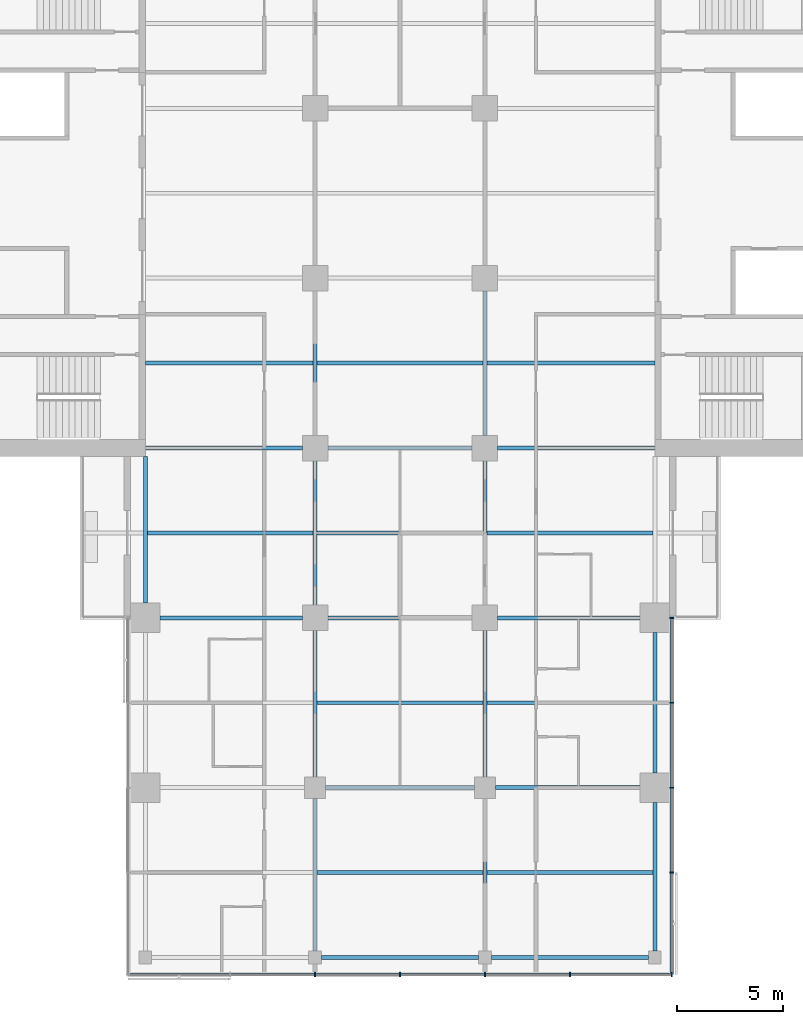
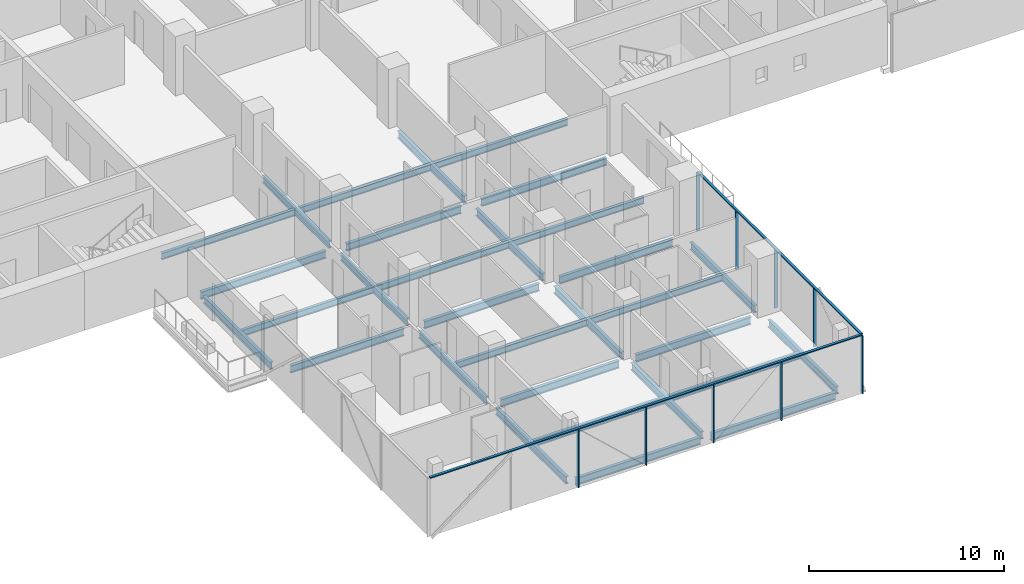
# One storey, part 4 of 27: 31 beams, 11 members, 2 elements without a shape of their own.
"""IFC4 building model written with IfcOpenShell, lengths in metres."""

import ifcopenshell
import ifcopenshell.guid

model = None  # the IFC model being written
_history = None  # IfcOwnerHistory: only IFC2X3 demands one
_inside = {}  # id of a spatial element -> (the spatial element, [elements in it])
_under = {}  # id of a project, library or spatial element -> (it, [spatial elements below it])
_declared = {}  # id of a project -> (the project, [libraries it declares])
_typed = {}  # id of a type object -> (the type object, [elements of that type])
_made_of = {}  # id of a material, layer set ... -> (it, [elements and type objects made of it])


def new_model(schema):
    """Start an empty IFC model of exactly this schema.

    Asked for "IFC4X3", IfcOpenShell would pick the latest addendum, in which some entities
    have other attributes; the version numbers below select the first issue.
    IFC2X3 requires an IfcOwnerHistory on every rooted entity: one is made here for all.
    """
    global model, _history
    if schema == "IFC4X3":
        model = ifcopenshell.file(schema_version=(4, 3, 0, 0))
    else:
        model = ifcopenshell.file(schema=schema)
    _inside.clear()
    _under.clear()
    _declared.clear()
    _typed.clear()
    _made_of.clear()
    _history = None
    if model.schema == "IFC2X3":
        org = make("IfcOrganization", Name="unknown")
        user = make(
            "IfcPersonAndOrganization",
            ThePerson=make("IfcPerson", FamilyName="unknown"),
            TheOrganization=org,
        )
        app = make(
            "IfcApplication",
            ApplicationDeveloper=org,
            Version="unknown",
            ApplicationFullName="unknown",
            ApplicationIdentifier="unknown",
        )
        _history = make(
            "IfcOwnerHistory",
            OwningUser=user,
            OwningApplication=app,
            ChangeAction="ADDED",
            CreationDate=0,
        )
    return model


def make(cls, **values):
    """One entity of the class cls with the attributes given. An attribute that is None is left unset."""
    return model.create_entity(
        cls, **{name: value for name, value in values.items() if value is not None}
    )


def rooted(cls, **values):
    """An entity with a GlobalId (a new one), such as an element, a storey or a relation."""
    return make(cls, GlobalId=ifcopenshell.guid.new(), OwnerHistory=_history, **values)


def si_unit(unit_type, name, prefix=None):
    """IfcSIUnit, for example si_unit("LENGTHUNIT", "METRE", prefix="MILLI")."""
    return make("IfcSIUnit", UnitType=unit_type, Prefix=prefix, Name=name)


def assignment(units):
    """IfcUnitAssignment: the units of a project."""
    return None if units is None else make("IfcUnitAssignment", Units=units)


def point(xyz):
    """IfcCartesianPoint."""
    return None if xyz is None else make("IfcCartesianPoint", Coordinates=xyz)


def direction(xyz):
    """IfcDirection."""
    return None if xyz is None else make("IfcDirection", DirectionRatios=xyz)


def frame(location, z_axis=None, x_axis=None):
    """IfcAxis2Placement3D, a coordinate frame: its origin and axes. An axis left out is left unset."""
    return make(
        "IfcAxis2Placement3D",
        Location=point(location),
        Axis=direction(z_axis),
        RefDirection=direction(x_axis),
    )


def frame_2d(location, x_axis=None):
    """IfcAxis2Placement2D, a coordinate frame in the plane: its origin and x axis."""
    return make(
        "IfcAxis2Placement2D", Location=point(location), RefDirection=direction(x_axis)
    )


def origin():
    """The frame at (0, 0, 0) with its axes left unset."""
    return frame((0.0, 0.0, 0.0))


def origin_2d():
    """The frame at (0, 0) in the plane with its x axis left unset."""
    return frame_2d((0.0, 0.0))


def place(relative_to, where):
    """IfcLocalPlacement: puts the frame where relative to a parent placement (None: the world)."""
    return make(
        "IfcLocalPlacement", PlacementRelTo=relative_to, RelativePlacement=where
    )


def context(
    kind, dimensions, precision=None, world=None, true_north=None, identifier=None
):
    """IfcGeometricRepresentationContext, for example the 3D "Model" context."""
    return make(
        "IfcGeometricRepresentationContext",
        ContextIdentifier=identifier,
        ContextType=kind,
        CoordinateSpaceDimension=dimensions,
        Precision=precision,
        WorldCoordinateSystem=world,
        TrueNorth=true_north,
    )


def subcontext(parent, identifier, kind, view, scale=None):
    """IfcGeometricRepresentationSubContext, for example "Body" below "Model"."""
    return make(
        "IfcGeometricRepresentationSubContext",
        ContextIdentifier=identifier,
        ContextType=kind,
        ParentContext=parent,
        TargetScale=scale,
        TargetView=view,
    )


def project(units=None, contexts=None):
    """IfcProject with its units and contexts."""
    return rooted(
        "IfcProject",
        Name="project",
        RepresentationContexts=contexts,
        UnitsInContext=assignment(units),
    )


def spatial(cls, under=None, at=None, **own):
    """A site, building, storey or space (cls), placed at a placement, below another one or the project."""
    s = rooted(cls, ObjectPlacement=at, **own)
    if under is not None:
        _under.setdefault(under.id(), (under, []))[1].append(s)
    return s


def profile(cls, at=None, kind="AREA", **sizes):
    """A parametric profile (cls). Its sizes go by their IFC names, for example OverallWidth=200.0."""
    return make(cls, ProfileType=kind, Position=at, **sizes)


def rectangle(**sizes):
    """IfcRectangleProfileDef."""
    return profile("IfcRectangleProfileDef", **sizes)


def i_section(**sizes):
    """IfcIShapeProfileDef."""
    return profile("IfcIShapeProfileDef", **sizes)


def extrude(swept, where, along, depth):
    """IfcExtrudedAreaSolid: the profile swept, set in the frame where, extruded along a direction by depth."""
    return make(
        "IfcExtrudedAreaSolid",
        SweptArea=swept,
        Position=where,
        ExtrudedDirection=direction(along),
        Depth=depth,
    )


def shape(context_of_items, identifier, shape_type, items):
    """IfcShapeRepresentation: the items that make up one representation, for example the "Body"."""
    return make(
        "IfcShapeRepresentation",
        ContextOfItems=context_of_items,
        RepresentationIdentifier=identifier,
        RepresentationType=shape_type,
        Items=items,
    )


def material(Name=None, Category=None):
    """IfcMaterial."""
    return make("IfcMaterial", Name=Name, Category=Category)


def material_profile(
    of_material, cross_section, Name=None, Category=None, Priority=None
):
    """IfcMaterialProfile: a cross section and its material."""
    return make(
        "IfcMaterialProfile",
        Name=Name,
        Material=of_material,
        Profile=cross_section,
        Priority=Priority,
        Category=Category,
    )


def profile_set(profiles, Name=None, composite=None):
    """IfcMaterialProfileSet."""
    return make(
        "IfcMaterialProfileSet",
        Name=Name,
        MaterialProfiles=profiles,
        CompositeProfile=composite,
    )


def made_of(thing, what):
    """Note that an element or type object is made of a material, layer set ...; save() writes the relation."""
    if what is not None:
        _made_of.setdefault(what.id(), (what, []))[1].append(thing)
    return thing


def type_object(cls, material=None, **own):
    """A type object (cls), such as IfcWallType, which elements share."""
    return made_of(rooted(cls, **own), material)


def element(
    cls,
    number,
    at=None,
    inside=None,
    cuts=None,
    type_object=None,
    material=None,
    context=None,
    identifier="Body",
    shape_type=None,
    held_by="IfcProductDefinitionShape",
    body=None,
    shapes=None,
    **own,
):
    """One element of the class cls, such as IfcWall. Its Tag is "e" and its number.

    at: its placement. inside: the storey or other place that contains it. cuts: it is an
    opening in that element (IfcRelVoidsElement). A single representation is given by context,
    identifier, shape_type and body (its items); several are given by shapes. held_by: the class
    of the entity that holds the representations. save() writes the other relations.
    """
    e = rooted(cls, Tag="e%d" % number, ObjectPlacement=at, **own)
    if body is not None:
        shapes = [shape(context, identifier, shape_type, body)]
    if shapes is not None:
        e.Representation = make(held_by, Representations=shapes)
    if inside is not None:
        _inside.setdefault(inside.id(), (inside, []))[1].append(e)
    if cuts is not None:
        rooted(
            "IfcRelVoidsElement", RelatingBuildingElement=cuts, RelatedOpeningElement=e
        )
    if type_object is not None:
        _typed.setdefault(type_object.id(), (type_object, []))[1].append(e)
    return made_of(e, material)


def aggregate(whole, parts):
    """IfcRelAggregates: a whole, such as a stair, and the parts it consists of."""
    return rooted("IfcRelAggregates", RelatingObject=whole, RelatedObjects=parts)


def save(model, path):
    """Write the relations noted so far, then the file.

    IfcRelAggregates (storeys below a building ...), IfcRelContainedInSpatialStructure (elements
    in a storey), IfcRelDefinesByType, IfcRelAssociatesMaterial and IfcRelDeclares: one each for
    every whole, place, type object, material and project.
    """
    for whole, parts in _under.values():
        aggregate(whole, parts)
    for where, things in _inside.values():
        rooted(
            "IfcRelContainedInSpatialStructure",
            RelatedElements=things,
            RelatingStructure=where,
        )
    for kind, things in _typed.values():
        rooted("IfcRelDefinesByType", RelatedObjects=things, RelatingType=kind)
    for what, things in _made_of.values():
        rooted("IfcRelAssociatesMaterial", RelatedObjects=things, RelatingMaterial=what)
    for by, libraries in _declared.values():
        rooted("IfcRelDeclares", RelatingContext=by, RelatedDefinitions=libraries)
    model.write(path)


model = new_model("IFC4")

# Units and contexts
model_context = context("Model", 3, precision=1e-05, world=origin(), true_north=direction((0.0, 1.0)))
body_context = subcontext(model_context, "Body", "Model", "MODEL_VIEW")
ifc_project = project(units=[si_unit("LENGTHUNIT", "METRE"), si_unit("AREAUNIT", "SQUARE_METRE"), si_unit("VOLUMEUNIT", "CUBIC_METRE"), si_unit("PLANEANGLEUNIT", "RADIAN"), si_unit("MASSUNIT", "GRAM", prefix="KILO")], contexts=[model_context])

# Site, building, storey
site_placement = place(None, origin())
site = spatial("IfcSite", under=ifc_project, at=site_placement, CompositionType="ELEMENT")
building_placement = place(site_placement, origin())
building = spatial("IfcBuilding", under=site, at=building_placement, Name="Crosswind Convention Tower", CompositionType="ELEMENT")
storey_placement = place(building_placement, frame((0.0, 0.0, 83.10009765625)))
storey = spatial("IfcBuildingStorey", under=building, at=storey_placement, Name="L15", CompositionType="ELEMENT", Elevation=83.10009765625)

# Beams
ifc_material_1 = material(Name="Steel S355", Category="steel")
ifc_material_profile_1 = material_profile(ifc_material_1, i_section(OverallWidth=0.1904296875, OverallDepth=0.457275390625, WebThickness=0.009033203125, FlangeThickness=0.014404296875, FilletRadius=0.01025390625, at=origin_2d()), Name="UB 457x191x75")
ifc_profile_set_1 = profile_set([ifc_material_profile_1], Name="Steel S355")
beam_type_1 = type_object("IfcBeamType", Name="Edge beam UB 457x191x75", PredefinedType="SPANDREL", material=ifc_profile_set_1)
beam_1_placement = place(storey_placement, frame((113.0, 80.699951171875, -0.5087890625), z_axis=(0.0, 1.0, 0.0), x_axis=(-1.0, 0.0, 0.0)))
element("IfcBeam", 1, at=beam_1_placement, inside=storey, type_object=beam_type_1, Name="B17 L15 edge beam 8", PredefinedType="SPANDREL", context=body_context, shape_type="SweptSolid", body=[
    extrude(i_section(OverallWidth=0.1904296875, OverallDepth=0.457275390625, WebThickness=0.009033203125, FlangeThickness=0.014404296875, FilletRadius=0.01025390625, at=origin_2d()), origin(), (0.0, 0.0, 1.0), 6.900146484375),
])
for number, where, z_axis, x_axis, name in (
    (2, (121.300048828125, 64.0, -0.5087890625), (1.0, 0.0, 0.0), (0.0, 1.0, 0.0), "B17 L15 edge beam 14"),
    (3, (129.300048828125, 64.0, -0.5087890625), (1.0, 0.0, 0.0), (0.0, 1.0, 0.0), "B17 L15 edge beam 16"),
):
    element("IfcBeam", number, at=place(storey_placement, frame(where, z_axis=z_axis, x_axis=x_axis)), inside=storey, type_object=beam_type_1, Name=name, PredefinedType="SPANDREL", context=body_context, shape_type="SweptSolid", body=[
        extrude(i_section(OverallWidth=0.1904296875, OverallDepth=0.457275390625, WebThickness=0.009033203125, FlangeThickness=0.014404296875, FilletRadius=0.01025390625, at=origin_2d()), origin(), (0.0, 0.0, 1.0), 7.39990234375),
    ])
beam_2_placement = place(storey_placement, frame((137.0, 64.300048828125, -0.5087890625), z_axis=(0.0, 1.0, 0.0), x_axis=(-1.0, 0.0, 0.0)))
element("IfcBeam", 4, at=beam_2_placement, inside=storey, type_object=beam_type_1, Name="B17 L15 edge beam 18", PredefinedType="SPANDREL", context=body_context, shape_type="SweptSolid", body=[
    extrude(i_section(OverallWidth=0.1904296875, OverallDepth=0.457275390625, WebThickness=0.009033203125, FlangeThickness=0.014404296875, FilletRadius=0.01025390625, at=origin_2d()), origin(), (0.0, 0.0, 1.0), 7.0),
])
beam_3_placement = place(storey_placement, frame((137.0, 72.699951171875, -0.5087890625), z_axis=(0.0, 1.0, 0.0), x_axis=(-1.0, 0.0, 0.0)))
element("IfcBeam", 5, at=beam_3_placement, inside=storey, type_object=beam_type_1, Name="B17 L15 edge beam 19", PredefinedType="SPANDREL", context=body_context, shape_type="SweptSolid", body=[
    extrude(i_section(OverallWidth=0.1904296875, OverallDepth=0.457275390625, WebThickness=0.009033203125, FlangeThickness=0.014404296875, FilletRadius=0.01025390625, at=origin_2d()), origin(), (0.0, 0.0, 1.0), 6.60009765625),
])
ifc_material_profile_2 = material_profile(ifc_material_1, i_section(OverallWidth=0.19140625, OverallDepth=0.460205078125, WebThickness=0.010009765625, FlangeThickness=0.01611328125, FilletRadius=0.01025390625, at=origin_2d()), Name="UB 457x191x82")
ifc_profile_set_2 = profile_set([ifc_material_profile_2], Name="Steel S355")
beam_type_2 = type_object("IfcBeamType", Name="Girder UB 457x191x82", PredefinedType="BEAM", material=ifc_profile_set_2)
beam_4_placement = place(storey_placement, frame((113.699951171875, 80.0, -0.51025390625), z_axis=(1.0, 0.0, 0.0), x_axis=(0.0, 1.0, 0.0)))
element("IfcBeam", 6, at=beam_4_placement, inside=storey, type_object=beam_type_2, Name="B3 L15 girder 2", PredefinedType="BEAM", context=body_context, shape_type="SweptSolid", body=[
    extrude(i_section(OverallWidth=0.19140625, OverallDepth=0.460205078125, WebThickness=0.010009765625, FlangeThickness=0.01611328125, FilletRadius=0.01025390625, at=origin_2d()), origin(), (0.0, 0.0, 1.0), 6.699951171875),
])
beam_5_placement = place(storey_placement, frame((121.0, 64.300048828125, -0.51025390625), z_axis=(0.0, 1.0, 0.0), x_axis=(-1.0, 0.0, 0.0)))
element("IfcBeam", 7, at=beam_5_placement, inside=storey, type_object=beam_type_2, Name="B3 L15 girder 5", PredefinedType="BEAM", context=body_context, shape_type="SweptSolid", body=[
    extrude(i_section(OverallWidth=0.19140625, OverallDepth=0.460205078125, WebThickness=0.010009765625, FlangeThickness=0.01611328125, FilletRadius=0.01025390625, at=origin_2d()), origin(), (0.0, 0.0, 1.0), 7.199951171875),
])
beam_6_placement = place(storey_placement, frame((121.0, 72.5, -0.51025390625), z_axis=(0.0, 1.0, 0.0), x_axis=(-1.0, 0.0, 0.0)))
element("IfcBeam", 8, at=beam_6_placement, inside=storey, type_object=beam_type_2, Name="B3 L15 girder 6", PredefinedType="BEAM", context=body_context, shape_type="SweptSolid", body=[
    extrude(i_section(OverallWidth=0.19140625, OverallDepth=0.460205078125, WebThickness=0.010009765625, FlangeThickness=0.01611328125, FilletRadius=0.01025390625, at=origin_2d()), origin(), (0.0, 0.0, 1.0), 6.89990234375),
])
for number, where, z_axis, x_axis, name in (
    (9, (121.0, 80.60009765625, -0.51025390625), (0.0, 1.0, 0.0), (-1.0, 0.0, 0.0), "B3 L15 girder 7"),
    (10, (121.0, 88.60009765625, -0.51025390625), (0.0, 1.0, 0.0), (-1.0, 0.0, 0.0), "B3 L15 girder 8"),
):
    element("IfcBeam", number, at=place(storey_placement, frame(where, z_axis=z_axis, x_axis=x_axis)), inside=storey, type_object=beam_type_2, Name=name, PredefinedType="BEAM", context=body_context, shape_type="SweptSolid", body=[
        extrude(i_section(OverallWidth=0.19140625, OverallDepth=0.460205078125, WebThickness=0.010009765625, FlangeThickness=0.01611328125, FilletRadius=0.01025390625, at=origin_2d()), origin(), (0.0, 0.0, 1.0), 6.7998046875),
    ])
beam_7_placement = place(storey_placement, frame((121.5, 72.0, -0.51025390625), z_axis=(1.0, 0.0, 0.0), x_axis=(0.0, 1.0, 0.0)))
element("IfcBeam", 11, at=beam_7_placement, inside=storey, type_object=beam_type_2, Name="B3 L15 girder 14", PredefinedType="BEAM", context=body_context, shape_type="SweptSolid", body=[
    extrude(i_section(OverallWidth=0.19140625, OverallDepth=0.460205078125, WebThickness=0.010009765625, FlangeThickness=0.01611328125, FilletRadius=0.01025390625, at=origin_2d()), origin(), (0.0, 0.0, 1.0), 7.0),
])
for number, where, z_axis, x_axis, name in (
    (12, (121.60009765625, 80.0, -0.51025390625), (1.0, 0.0, 0.0), (0.0, 1.0, 0.0), "B3 L15 girder 16"),
    (13, (121.60009765625, 88.0, -0.51025390625), (1.0, 0.0, 0.0), (0.0, 1.0, 0.0), "B3 L15 girder 17"),
):
    element("IfcBeam", number, at=place(storey_placement, frame(where, z_axis=z_axis, x_axis=x_axis)), inside=storey, type_object=beam_type_2, Name=name, PredefinedType="BEAM", context=body_context, shape_type="SweptSolid", body=[
        extrude(i_section(OverallWidth=0.19140625, OverallDepth=0.460205078125, WebThickness=0.010009765625, FlangeThickness=0.01611328125, FilletRadius=0.01025390625, at=origin_2d()), origin(), (0.0, 0.0, 1.0), 6.7998046875),
    ])
beam_8_placement = place(storey_placement, frame((129.0, 64.300048828125, -0.51025390625), z_axis=(0.0, 1.0, 0.0), x_axis=(-1.0, 0.0, 0.0)))
element("IfcBeam", 14, at=beam_8_placement, inside=storey, type_object=beam_type_2, Name="B3 L15 girder 22", PredefinedType="BEAM", context=body_context, shape_type="SweptSolid", body=[
    extrude(i_section(OverallWidth=0.19140625, OverallDepth=0.460205078125, WebThickness=0.010009765625, FlangeThickness=0.01611328125, FilletRadius=0.01025390625, at=origin_2d()), origin(), (0.0, 0.0, 1.0), 7.199951171875),
])
beam_9_placement = place(storey_placement, frame((129.0, 72.5, -0.51025390625), z_axis=(0.0, 1.0, 0.0), x_axis=(-1.0, 0.0, 0.0)))
element("IfcBeam", 15, at=beam_9_placement, inside=storey, type_object=beam_type_2, Name="B3 L15 girder 23", PredefinedType="BEAM", context=body_context, shape_type="SweptSolid", body=[
    extrude(i_section(OverallWidth=0.19140625, OverallDepth=0.460205078125, WebThickness=0.010009765625, FlangeThickness=0.01611328125, FilletRadius=0.01025390625, at=origin_2d()), origin(), (0.0, 0.0, 1.0), 6.89990234375),
])
for number, where, z_axis, x_axis, name in (
    (16, (129.0, 80.60009765625, -0.51025390625), (0.0, 1.0, 0.0), (-1.0, 0.0, 0.0), "B3 L15 girder 24"),
    (17, (129.0, 88.60009765625, -0.51025390625), (0.0, 1.0, 0.0), (-1.0, 0.0, 0.0), "B3 L15 girder 25"),
):
    element("IfcBeam", number, at=place(storey_placement, frame(where, z_axis=z_axis, x_axis=x_axis)), inside=storey, type_object=beam_type_2, Name=name, PredefinedType="BEAM", context=body_context, shape_type="SweptSolid", body=[
        extrude(i_section(OverallWidth=0.19140625, OverallDepth=0.460205078125, WebThickness=0.010009765625, FlangeThickness=0.01611328125, FilletRadius=0.01025390625, at=origin_2d()), origin(), (0.0, 0.0, 1.0), 6.7998046875),
    ])
beam_10_placement = place(storey_placement, frame((129.5, 72.0, -0.51025390625), z_axis=(1.0, 0.0, 0.0), x_axis=(0.0, 1.0, 0.0)))
element("IfcBeam", 18, at=beam_10_placement, inside=storey, type_object=beam_type_2, Name="B3 L15 girder 31", PredefinedType="BEAM", context=body_context, shape_type="SweptSolid", body=[
    extrude(i_section(OverallWidth=0.19140625, OverallDepth=0.460205078125, WebThickness=0.010009765625, FlangeThickness=0.01611328125, FilletRadius=0.01025390625, at=origin_2d()), origin(), (0.0, 0.0, 1.0), 6.800048828125),
])
beam_11_placement = place(storey_placement, frame((129.60009765625, 80.0, -0.51025390625), z_axis=(1.0, 0.0, 0.0), x_axis=(0.0, 1.0, 0.0)))
element("IfcBeam", 19, at=beam_11_placement, inside=storey, type_object=beam_type_2, Name="B3 L15 girder 33", PredefinedType="BEAM", context=body_context, shape_type="SweptSolid", body=[
    extrude(i_section(OverallWidth=0.19140625, OverallDepth=0.460205078125, WebThickness=0.010009765625, FlangeThickness=0.01611328125, FilletRadius=0.01025390625, at=origin_2d()), origin(), (0.0, 0.0, 1.0), 6.699951171875),
])
ifc_material_profile_3 = material_profile(ifc_material_1, i_section(OverallWidth=0.19189453125, OverallDepth=0.463623046875, WebThickness=0.010498046875, FlangeThickness=0.017578125, FilletRadius=0.01025390625, at=origin_2d()), Name="UB 457x191x90")
ifc_profile_set_3 = profile_set([ifc_material_profile_3], Name="Steel S355")
beam_type_3 = type_object("IfcBeamType", Name="Girder at core wall UB 457x191x90", PredefinedType="BEAM", material=ifc_profile_set_3)
for number, where, z_axis, x_axis, name in (
    (20, (113.0, 88.0, -0.511962890625), (1.0, 0.0, 0.0), (0.0, 1.0, 0.0), "B24 L15 girder at core wall 3"),
    (21, (129.60009765625, 88.0, -0.511962890625), (1.0, 0.0, 0.0), (0.0, 1.0, 0.0), "B24 L15 girder at core wall 7"),
):
    element("IfcBeam", number, at=place(storey_placement, frame(where, z_axis=z_axis, x_axis=x_axis)), inside=storey, type_object=beam_type_3, Name=name, PredefinedType="BEAM", context=body_context, shape_type="SweptSolid", body=[
        extrude(i_section(OverallWidth=0.19189453125, OverallDepth=0.463623046875, WebThickness=0.010498046875, FlangeThickness=0.017578125, FilletRadius=0.01025390625, at=origin_2d()), origin(), (0.0, 0.0, 1.0), 7.39990234375),
    ])

# Curtain wall, members
ifc_material_2 = material(Name="Aluminium unitised curtain wall", Category="aluminium")
curtain_wall_type = type_object("IfcCurtainWallType", Name="HOTEL UNITISED WALL 200", PredefinedType="USERDEFINED", material=ifc_material_2)
curtain_wall_1_placement = place(storey_placement, origin())
curtain_wall_1 = element("IfcCurtainWall", 22, at=curtain_wall_1_placement, inside=storey, type_object=curtain_wall_type, Name="CW2 L15 S-TIP 1", ObjectType="UNITISED", PredefinedType="USERDEFINED")
ifc_material_3 = material(Name="Aluminium mullion", Category="aluminium")
ifc_material_profile_4 = material_profile(ifc_material_3, rectangle(XDim=0.199951171875, YDim=0.06494140625, at=origin_2d()), Name="AL 200X65")
ifc_profile_set_4 = profile_set([ifc_material_profile_4], Name="Aluminium mullion")
member_type_1 = type_object("IfcMemberType", Name="MULLION 65X200", PredefinedType="MULLION", material=ifc_profile_set_4)
member_1_placement = place(storey_placement, frame((121.0, 63.199951171875, -0.280029296875), z_axis=(0.0, 0.0, 1.0), x_axis=(0.0, -1.0, 0.0)))
member_1 = element("IfcMember", 23, at=member_1_placement, type_object=member_type_1, Name="CW2 mullion 3", PredefinedType="MULLION", context=body_context, shape_type="SweptSolid", body=[
    extrude(rectangle(XDim=0.199951171875, YDim=0.06494140625, at=origin_2d()), origin(), (0.0, 0.0, 1.0), 3.635009765625),
])
member_2_placement = place(storey_placement, frame((125.0, 63.199951171875, -0.280029296875), z_axis=(0.0, 0.0, 1.0), x_axis=(0.0, -1.0, 0.0)))
member_2 = element("IfcMember", 24, at=member_2_placement, type_object=member_type_1, Name="CW2 mullion 4", PredefinedType="MULLION", context=body_context, shape_type="SweptSolid", body=[
    extrude(rectangle(XDim=0.199951171875, YDim=0.06494140625, at=origin_2d()), origin(), (0.0, 0.0, 1.0), 3.635009765625),
])
member_3_placement = place(storey_placement, frame((129.0, 63.199951171875, -0.280029296875), z_axis=(0.0, 0.0, 1.0), x_axis=(0.0, -1.0, 0.0)))
member_3 = element("IfcMember", 25, at=member_3_placement, type_object=member_type_1, Name="CW2 mullion 5", PredefinedType="MULLION", context=body_context, shape_type="SweptSolid", body=[
    extrude(rectangle(XDim=0.199951171875, YDim=0.06494140625, at=origin_2d()), origin(), (0.0, 0.0, 1.0), 3.635009765625),
])
member_4_placement = place(storey_placement, frame((133.0, 63.199951171875, -0.280029296875), z_axis=(0.0, 0.0, 1.0), x_axis=(0.0, -1.0, 0.0)))
member_4 = element("IfcMember", 26, at=member_4_placement, type_object=member_type_1, Name="CW2 mullion 6", PredefinedType="MULLION", context=body_context, shape_type="SweptSolid", body=[
    extrude(rectangle(XDim=0.199951171875, YDim=0.06494140625, at=origin_2d()), origin(), (0.0, 0.0, 1.0), 3.635009765625),
])
member_5_placement = place(storey_placement, frame((137.800048828125, 63.199951171875, -0.280029296875), z_axis=(0.0, 0.0, 1.0), x_axis=(0.0, -1.0, 0.0)))
member_5 = element("IfcMember", 27, at=member_5_placement, type_object=member_type_1, Name="CW2 mullion 7", PredefinedType="MULLION", context=body_context, shape_type="SweptSolid", body=[
    extrude(rectangle(XDim=0.199951171875, YDim=0.06494140625, at=origin_2d()), origin(), (0.0, 0.0, 1.0), 3.635009765625),
])

curtain_wall_2_placement = place(storey_placement, origin())
curtain_wall_2 = element("IfcCurtainWall", 28, at=curtain_wall_2_placement, inside=storey, type_object=curtain_wall_type, Name="CW2 L15 S-E 1", ObjectType="UNITISED", PredefinedType="USERDEFINED")
member_6_placement = place(storey_placement, frame((137.800048828125, 68.0, -0.280029296875), z_axis=(0.0, 0.0, 1.0), x_axis=(1.0, 0.0, 0.0)))
member_6 = element("IfcMember", 29, at=member_6_placement, type_object=member_type_1, Name="CW2 mullion 2", PredefinedType="MULLION", context=body_context, shape_type="SweptSolid", body=[
    extrude(rectangle(XDim=0.199951171875, YDim=0.06494140625, at=origin_2d()), origin(), (0.0, 0.0, 1.0), 3.635009765625),
])
member_7_placement = place(storey_placement, frame((137.800048828125, 72.0, -0.280029296875), z_axis=(0.0, 0.0, 1.0), x_axis=(1.0, 0.0, 0.0)))
member_7 = element("IfcMember", 30, at=member_7_placement, type_object=member_type_1, Name="CW2 mullion 3", PredefinedType="MULLION", context=body_context, shape_type="SweptSolid", body=[
    extrude(rectangle(XDim=0.199951171875, YDim=0.06494140625, at=origin_2d()), origin(), (0.0, 0.0, 1.0), 3.635009765625),
])
member_8_placement = place(storey_placement, frame((137.800048828125, 76.0, -0.280029296875), z_axis=(0.0, 0.0, 1.0), x_axis=(1.0, 0.0, 0.0)))
member_8 = element("IfcMember", 31, at=member_8_placement, type_object=member_type_1, Name="CW2 mullion 4", PredefinedType="MULLION", context=body_context, shape_type="SweptSolid", body=[
    extrude(rectangle(XDim=0.199951171875, YDim=0.06494140625, at=origin_2d()), origin(), (0.0, 0.0, 1.0), 3.635009765625),
])
member_9_placement = place(storey_placement, frame((137.800048828125, 80.0, -0.280029296875), z_axis=(0.0, 0.0, 1.0), x_axis=(1.0, 0.0, 0.0)))
member_9 = element("IfcMember", 32, at=member_9_placement, type_object=member_type_1, Name="CW2 mullion 5", PredefinedType="MULLION", context=body_context, shape_type="SweptSolid", body=[
    extrude(rectangle(XDim=0.199951171875, YDim=0.06494140625, at=origin_2d()), origin(), (0.0, 0.0, 1.0), 3.635009765625),
])

# Beams
ifc_material_profile_5 = material_profile(ifc_material_1, i_section(OverallWidth=0.177734375, OverallDepth=0.406494140625, WebThickness=0.0078125, FlangeThickness=0.0126953125, FilletRadius=0.01025390625, at=origin_2d()), Name="UB 406x178x60")
ifc_profile_set_5 = profile_set([ifc_material_profile_5], Name="Steel S355")
beam_type_4 = type_object("IfcBeamType", Name="Secondary beam UB 406x178x60", PredefinedType="JOIST", material=ifc_profile_set_5)
beam_12_placement = place(storey_placement, frame((113.0, 92.0, -0.4833984375), z_axis=(1.0, 0.0, 0.0), x_axis=(0.0, 1.0, 0.0)))
element("IfcBeam", 33, at=beam_12_placement, inside=storey, type_object=beam_type_4, Name="B10 L15 secondary beam 4", PredefinedType="JOIST", context=body_context, shape_type="SweptSolid", body=[
    extrude(i_section(OverallWidth=0.177734375, OverallDepth=0.406494140625, WebThickness=0.0078125, FlangeThickness=0.0126953125, FilletRadius=0.01025390625, at=origin_2d()), origin(), (0.0, 0.0, 1.0), 7.904296875),
])
beam_13_placement = place(storey_placement, frame((113.09521484375, 84.0, -0.4833984375), z_axis=(1.0, 0.0, 0.0), x_axis=(0.0, 1.0, 0.0)))
element("IfcBeam", 34, at=beam_13_placement, inside=storey, type_object=beam_type_4, Name="B10 L15 secondary beam 9", PredefinedType="JOIST", context=body_context, shape_type="SweptSolid", body=[
    extrude(i_section(OverallWidth=0.177734375, OverallDepth=0.406494140625, WebThickness=0.0078125, FlangeThickness=0.0126953125, FilletRadius=0.01025390625, at=origin_2d()), origin(), (0.0, 0.0, 1.0), 7.80908203125),
])
for number, where, z_axis, x_axis, name in (
    (35, (121.095703125, 68.0, -0.4833984375), (1.0, 0.0, 0.0), (0.0, 1.0, 0.0), "B10 L15 secondary beam 13"),
    (36, (121.095703125, 76.0, -0.4833984375), (1.0, 0.0, 0.0), (0.0, 1.0, 0.0), "B10 L15 secondary beam 14"),
    (37, (121.095703125, 84.0, -0.4833984375), (1.0, 0.0, 0.0), (0.0, 1.0, 0.0), "B10 L15 secondary beam 15"),
    (38, (121.095703125, 92.0, -0.4833984375), (1.0, 0.0, 0.0), (0.0, 1.0, 0.0), "B10 L15 secondary beam 16"),
):
    element("IfcBeam", number, at=place(storey_placement, frame(where, z_axis=z_axis, x_axis=x_axis)), inside=storey, type_object=beam_type_4, Name=name, PredefinedType="JOIST", context=body_context, shape_type="SweptSolid", body=[
        extrude(i_section(OverallWidth=0.177734375, OverallDepth=0.406494140625, WebThickness=0.0078125, FlangeThickness=0.0126953125, FilletRadius=0.01025390625, at=origin_2d()), origin(), (0.0, 0.0, 1.0), 7.80859375),
    ])
for number, where, z_axis, x_axis, name in (
    (39, (129.095703125, 68.0, -0.4833984375), (1.0, 0.0, 0.0), (0.0, 1.0, 0.0), "B10 L15 secondary beam 22"),
    (40, (129.095703125, 76.0, -0.4833984375), (1.0, 0.0, 0.0), (0.0, 1.0, 0.0), "B10 L15 secondary beam 23"),
    (41, (129.095703125, 84.0, -0.4833984375), (1.0, 0.0, 0.0), (0.0, 1.0, 0.0), "B10 L15 secondary beam 24"),
):
    element("IfcBeam", number, at=place(storey_placement, frame(where, z_axis=z_axis, x_axis=x_axis)), inside=storey, type_object=beam_type_4, Name=name, PredefinedType="JOIST", context=body_context, shape_type="SweptSolid", body=[
        extrude(i_section(OverallWidth=0.177734375, OverallDepth=0.406494140625, WebThickness=0.0078125, FlangeThickness=0.0126953125, FilletRadius=0.01025390625, at=origin_2d()), origin(), (0.0, 0.0, 1.0), 7.80908203125),
    ])
beam_14_placement = place(storey_placement, frame((129.095703125, 92.0, -0.4833984375), z_axis=(1.0, 0.0, 0.0), x_axis=(0.0, 1.0, 0.0)))
element("IfcBeam", 42, at=beam_14_placement, inside=storey, type_object=beam_type_4, Name="B10 L15 secondary beam 25", PredefinedType="JOIST", context=body_context, shape_type="SweptSolid", body=[
    extrude(i_section(OverallWidth=0.177734375, OverallDepth=0.406494140625, WebThickness=0.0078125, FlangeThickness=0.0126953125, FilletRadius=0.01025390625, at=origin_2d()), origin(), (0.0, 0.0, 1.0), 7.904296875),
])

# Member
ifc_material_4 = material(Name="Aluminium transom", Category="aluminium")
ifc_material_profile_6 = material_profile(ifc_material_4, rectangle(XDim=0.14990234375, YDim=0.06494140625, at=origin_2d()), Name="AL 150X65")
ifc_profile_set_6 = profile_set([ifc_material_profile_6], Name="Aluminium transom")
member_type_2 = type_object("IfcMemberType", Name="TRANSOM 65X150", PredefinedType="USERDEFINED", material=ifc_profile_set_6)
member_10_placement = place(storey_placement, frame((112.232421875, 63.199951171875, 3.387451171875), z_axis=(1.0, 0.0, 0.0), x_axis=(0.0, 1.0, 0.0)))
member_10 = element("IfcMember", 43, at=member_10_placement, type_object=member_type_2, Name="CW2 transom", ObjectType="TRANSOM", PredefinedType="USERDEFINED", context=body_context, shape_type="SweptSolid", body=[
    extrude(rectangle(XDim=0.14990234375, YDim=0.06494140625, at=origin_2d()), origin(), (0.0, 0.0, 1.0), 25.53515625),
])

aggregate(curtain_wall_1, [member_1, member_2, member_3, member_4, member_5, member_10])

member_11_placement = place(storey_placement, frame((137.800048828125, 63.232421875, 3.387451171875), z_axis=(0.0, 1.0, 0.0), x_axis=(-1.0, 0.0, 0.0)))
member_11 = element("IfcMember", 44, at=member_11_placement, type_object=member_type_2, Name="CW2 transom", ObjectType="TRANSOM", PredefinedType="USERDEFINED", context=body_context, shape_type="SweptSolid", body=[
    extrude(rectangle(XDim=0.14990234375, YDim=0.06494140625, at=origin_2d()), origin(), (0.0, 0.0, 1.0), 16.735107421875),
])

aggregate(curtain_wall_2, [member_6, member_7, member_8, member_9, member_11])

save(model, "model.ifc")
